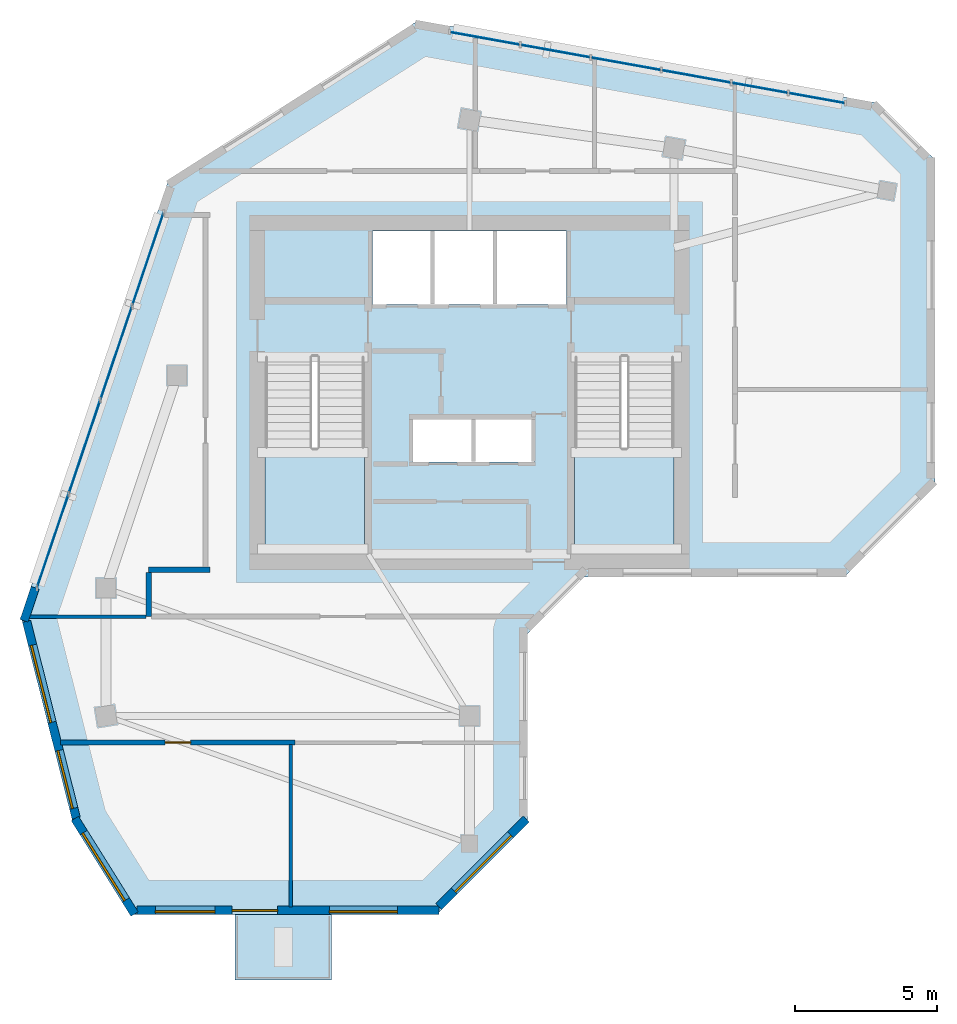
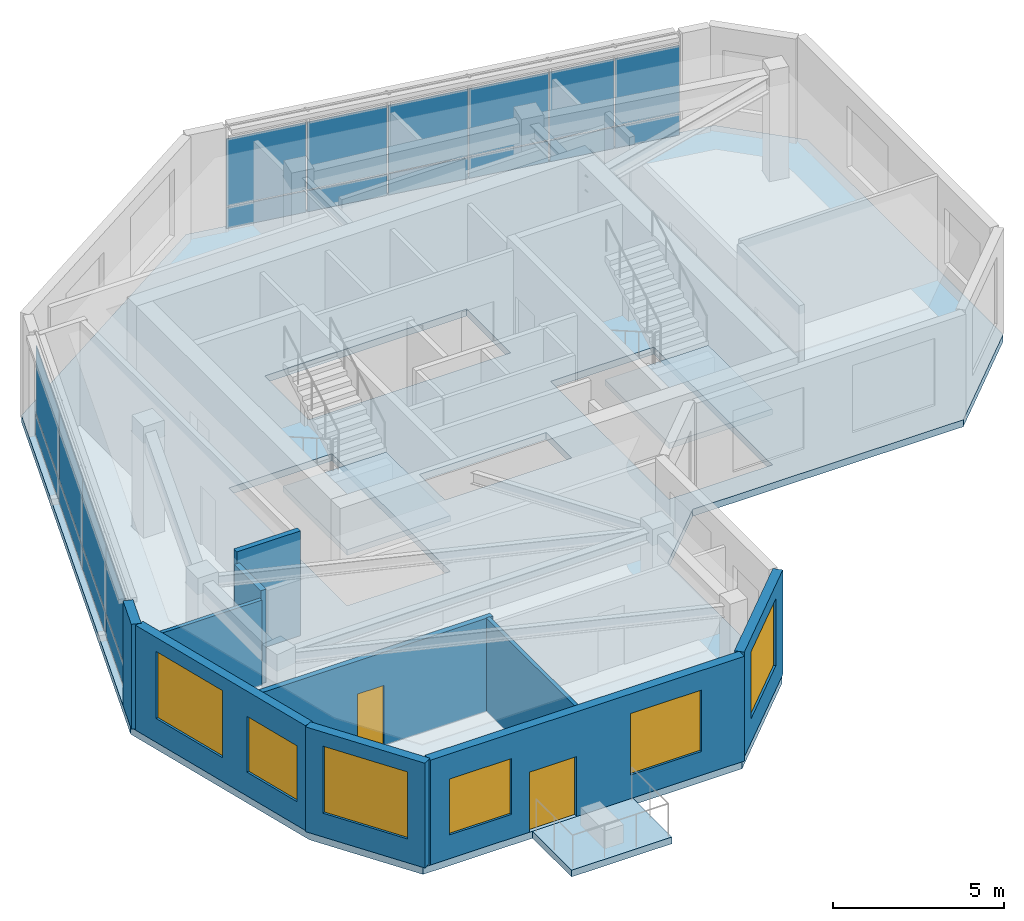
# One storey, part 2 of 8: 20 plates, 10 walls, 6 windows, 4 slabs, 2 doors, 8 openings, 4 elements without a shape of their own.
"""IFC4 building model written with IfcOpenShell, lengths in metres."""

from ifc_helpers import new_model, si_unit, direction, frame, frame_2d, origin, place, context, subcontext, project, spatial, polyline, rectangle, outline, extrude, source, transform, mapped, material, layer, layer_set, type_object, element, fill, aggregate, save


model = new_model("IFC4")

# Units and contexts
model_context = context("Model", 3, precision=1e-05, world=origin(), true_north=direction((0.0, 1.0)))
body_context = subcontext(model_context, "Body", "Model", "MODEL_VIEW")
ifc_project = project(units=[si_unit("LENGTHUNIT", "METRE"), si_unit("AREAUNIT", "SQUARE_METRE"), si_unit("VOLUMEUNIT", "CUBIC_METRE"), si_unit("PLANEANGLEUNIT", "RADIAN"), si_unit("MASSUNIT", "GRAM", prefix="KILO")], contexts=[model_context])

# Site, building, storey
site_placement = place(None, origin())
site = spatial("IfcSite", under=ifc_project, at=site_placement, CompositionType="ELEMENT")
building_placement = place(site_placement, origin())
building = spatial("IfcBuilding", under=site, at=building_placement, Name="Calvemar Wedge Station Tower", CompositionType="ELEMENT")
storey_placement = place(building_placement, frame((0.0, 0.0, 292.5)))
storey = spatial("IfcBuildingStorey", under=building, at=storey_placement, Name="L75", CompositionType="ELEMENT", Elevation=292.5)

# Curtain wall, plates
ifc_material_1 = material(Name="Anodised aluminium 6063-T6", Category="aluminium")
curtain_wall_type = type_object("IfcCurtainWallType", Name="CW4", PredefinedType="NOTDEFINED", material=ifc_material_1)
curtain_wall_1_placement = place(storey_placement, origin())
curtain_wall_1 = element("IfcCurtainWall", 1, at=curtain_wall_1_placement, inside=storey, type_object=curtain_wall_type, Name="Storey L75 CW4 Recessed Unitised Curtain Wall 10", PredefinedType="NOTDEFINED")
ifc_material_2 = material(Name="Low-E laminated insulated glass", Category="glass")
ifc_layer_1 = layer(ifc_material_2, 0.028076171875)
ifc_layer_set_1 = layer_set([ifc_layer_1], Name="Low-E laminated insulated glass")
plate_type_1 = type_object("IfcPlateType", Name="CW4-GLZ", PredefinedType="CURTAIN_PANEL", material=ifc_layer_set_1)
plate_1_placement = place(storey_placement, frame((37.01611328125, 50.08740234375, 0.8701171875), z_axis=(0.0, 0.0, 1.0), x_axis=(-0.984221146633, 0.176942743621, 0.0)))
plate_1 = element("IfcPlate", 2, at=plate_1_placement, type_object=plate_type_1, Name="CW4 vision glass panel 1", PredefinedType="CURTAIN_PANEL", context=body_context, shape_type="SweptSolid", body=[
    extrude(rectangle(XDim=2.001953125, YDim=0.028076171875, at=frame_2d((1.0009765625, 0.0))), origin(), (0.0, 0.0, 1.0), 2.409912109375),
])
plate_2_placement = place(storey_placement, frame((35.01025390625, 50.447998046875, 0.8701171875), z_axis=(0.0, 0.0, 1.0), x_axis=(-0.984224963901, 0.176921509244, 0.0)))
plate_2 = element("IfcPlate", 3, at=plate_2_placement, type_object=plate_type_1, Name="CW4 vision glass panel 2", PredefinedType="CURTAIN_PANEL", context=body_context, shape_type="SweptSolid", body=[
    extrude(rectangle(XDim=2.002197265625, YDim=0.028076171875, at=frame_2d((1.0009765625, 0.0))), origin(), (0.0, 0.0, 1.0), 2.409912109375),
])
plate_3_placement = place(storey_placement, frame((33.004150390625, 50.80859375, 0.8701171875), z_axis=(0.0, 0.0, 1.0), x_axis=(-0.984227258702, 0.176908742657, 0.0)))
plate_3 = element("IfcPlate", 4, at=plate_3_placement, type_object=plate_type_1, Name="CW4 vision glass panel 3", PredefinedType="CURTAIN_PANEL", context=body_context, shape_type="SweptSolid", body=[
    extrude(rectangle(XDim=2.478515625, YDim=0.028076171875, at=frame_2d((1.2392578125, 0.0))), origin(), (0.0, 0.0, 1.0), 2.409912109375),
])
plate_4_placement = place(storey_placement, frame((30.529296875, 51.25341796875, 0.8701171875), z_axis=(0.0, 0.0, 1.0), x_axis=(-0.984230341027, 0.176891593364, 0.0)))
plate_4 = element("IfcPlate", 5, at=plate_4_placement, type_object=plate_type_1, Name="CW4 vision glass panel 4", PredefinedType="CURTAIN_PANEL", context=body_context, shape_type="SweptSolid", body=[
    extrude(rectangle(XDim=2.478759765625, YDim=0.028076171875, at=frame_2d((1.2392578125, 0.0))), origin(), (0.0, 0.0, 1.0), 2.409912109375),
])
plate_5_placement = place(storey_placement, frame((28.05419921875, 51.6982421875, 0.8701171875), z_axis=(0.0, 0.0, 1.0), x_axis=(-0.984227429681, 0.176907791418, 0.0)))
plate_5 = element("IfcPlate", 6, at=plate_5_placement, type_object=plate_type_1, Name="CW4 vision glass panel 5", PredefinedType="CURTAIN_PANEL", context=body_context, shape_type="SweptSolid", body=[
    extrude(rectangle(XDim=2.48828125, YDim=0.028076171875, at=frame_2d((1.244140625, 0.0))), origin(), (0.0, 0.0, 1.0), 2.409912109375),
])
plate_6_placement = place(storey_placement, frame((25.56982421875, 52.14501953125, 0.8701171875), z_axis=(0.0, 0.0, 1.0), x_axis=(-0.984227429681, 0.176907791418, 0.0)))
plate_6 = element("IfcPlate", 7, at=plate_6_placement, type_object=plate_type_1, Name="CW4 vision glass panel 6", PredefinedType="CURTAIN_PANEL", context=body_context, shape_type="SweptSolid", body=[
    extrude(rectangle(XDim=2.48828125, YDim=0.028076171875, at=frame_2d((1.244140625, 0.0))), origin(), (0.0, 0.0, 1.0), 2.409912109375),
])

curtain_wall_2_placement = place(storey_placement, origin())
curtain_wall_2 = element("IfcCurtainWall", 8, at=curtain_wall_2_placement, inside=storey, type_object=curtain_wall_type, Name="Storey L75 CW4 Recessed Unitised Curtain Wall 12", PredefinedType="NOTDEFINED")
plate_7_placement = place(storey_placement, frame((13.0244140625, 46.223388671875, 0.8701171875), z_axis=(0.0, 0.0, 1.0), x_axis=(-0.319915894708, -0.947445945853, 0.0)))
plate_7 = element("IfcPlate", 9, at=plate_7_placement, type_object=plate_type_1, Name="CW4 vision glass panel 1", PredefinedType="CURTAIN_PANEL", context=body_context, shape_type="SweptSolid", body=[
    extrude(rectangle(XDim=3.453125, YDim=0.028076171875, at=frame_2d((1.7265625, 0.0))), origin(), (0.0, 0.0, 1.0), 2.409912109375),
])
plate_8_placement = place(storey_placement, frame((11.908203125, 42.91748046875, 0.8701171875), z_axis=(0.0, 0.0, 1.0), x_axis=(-0.319979356362, -0.947424514936, 0.0)))
plate_8 = element("IfcPlate", 10, at=plate_8_placement, type_object=plate_type_1, Name="CW4 vision glass panel 2", PredefinedType="CURTAIN_PANEL", context=body_context, shape_type="SweptSolid", body=[
    extrude(rectangle(XDim=3.453369140625, YDim=0.028076171875, at=frame_2d((1.7265625, 0.0))), origin(), (0.0, 0.0, 1.0), 2.409912109375),
])
plate_9_placement = place(storey_placement, frame((10.791748046875, 39.611572265625, 0.8701171875), z_axis=(0.0, 0.0, 1.0), x_axis=(-0.319915894708, -0.947445945853, 0.0)))
plate_9 = element("IfcPlate", 11, at=plate_9_placement, type_object=plate_type_1, Name="CW4 vision glass panel 3", PredefinedType="CURTAIN_PANEL", context=body_context, shape_type="SweptSolid", body=[
    extrude(rectangle(XDim=3.453125, YDim=0.028076171875, at=frame_2d((1.7265625, 0.0))), origin(), (0.0, 0.0, 1.0), 2.409912109375),
])
plate_10_placement = place(storey_placement, frame((9.675537109375, 36.3056640625, 0.8701171875), z_axis=(0.0, 0.0, 1.0), x_axis=(-0.319915894708, -0.947445945853, 0.0)))
plate_10 = element("IfcPlate", 12, at=plate_10_placement, type_object=plate_type_1, Name="CW4 vision glass panel 4", PredefinedType="CURTAIN_PANEL", context=body_context, shape_type="SweptSolid", body=[
    extrude(rectangle(XDim=3.453125, YDim=0.028076171875, at=frame_2d((1.7265625, 0.0))), origin(), (0.0, 0.0, 1.0), 2.409912109375),
])

# Plate
ifc_material_3 = material(Name="Oxidized bronze aluminium spandrel panel 5005-H24", Category="aluminium")
ifc_layer_2 = layer(ifc_material_3, 0.0400390625)
ifc_layer_set_2 = layer_set([ifc_layer_2], Name="Oxidized bronze aluminium spandrel panel 5005-H24")
plate_type_2 = type_object("IfcPlateType", Name="CW4-SPD", PredefinedType="SHEET", material=ifc_layer_set_2)
plate_11_placement = place(storey_placement, frame((37.01611328125, 50.08740234375, 0.080078125), z_axis=(0.0, 0.0, 1.0), x_axis=(-0.984221146633, 0.176942743621, 0.0)))
plate_11 = element("IfcPlate", 13, at=plate_11_placement, type_object=plate_type_2, Name="CW4 bronze spandrel panel 1", PredefinedType="SHEET", context=body_context, shape_type="SweptSolid", body=[
    extrude(rectangle(XDim=2.001953125, YDim=0.0400390625, at=frame_2d((1.0009765625, 0.0))), origin(), (0.0, 0.0, 1.0), 0.75),
])

plate_12_placement = place(storey_placement, frame((35.01025390625, 50.447998046875, 0.080078125), z_axis=(0.0, 0.0, 1.0), x_axis=(-0.984224963901, 0.176921509244, 0.0)))
plate_12 = element("IfcPlate", 14, at=plate_12_placement, type_object=plate_type_2, Name="CW4 bronze spandrel panel 2", PredefinedType="SHEET", context=body_context, shape_type="SweptSolid", body=[
    extrude(rectangle(XDim=2.002197265625, YDim=0.0400390625, at=frame_2d((1.0009765625, 0.0))), origin(), (0.0, 0.0, 1.0), 0.75),
])

plate_13_placement = place(storey_placement, frame((33.004150390625, 50.80859375, 0.080078125), z_axis=(0.0, 0.0, 1.0), x_axis=(-0.984227258702, 0.176908742657, 0.0)))
plate_13 = element("IfcPlate", 15, at=plate_13_placement, type_object=plate_type_2, Name="CW4 bronze spandrel panel 3", PredefinedType="SHEET", context=body_context, shape_type="SweptSolid", body=[
    extrude(rectangle(XDim=2.478515625, YDim=0.0400390625, at=frame_2d((1.2392578125, 0.0))), origin(), (0.0, 0.0, 1.0), 0.75),
])

plate_14_placement = place(storey_placement, frame((30.529296875, 51.25341796875, 0.080078125), z_axis=(0.0, 0.0, 1.0), x_axis=(-0.984230341027, 0.176891593364, 0.0)))
plate_14 = element("IfcPlate", 16, at=plate_14_placement, type_object=plate_type_2, Name="CW4 bronze spandrel panel 4", PredefinedType="SHEET", context=body_context, shape_type="SweptSolid", body=[
    extrude(rectangle(XDim=2.478759765625, YDim=0.0400390625, at=frame_2d((1.2392578125, 0.0))), origin(), (0.0, 0.0, 1.0), 0.75),
])

plate_15_placement = place(storey_placement, frame((28.05419921875, 51.6982421875, 0.080078125), z_axis=(0.0, 0.0, 1.0), x_axis=(-0.984227429681, 0.176907791418, 0.0)))
plate_15 = element("IfcPlate", 17, at=plate_15_placement, type_object=plate_type_2, Name="CW4 bronze spandrel panel 5", PredefinedType="SHEET", context=body_context, shape_type="SweptSolid", body=[
    extrude(rectangle(XDim=2.48828125, YDim=0.0400390625, at=frame_2d((1.244140625, 0.0))), origin(), (0.0, 0.0, 1.0), 0.75),
])

plate_16_placement = place(storey_placement, frame((25.56982421875, 52.14501953125, 0.080078125), z_axis=(0.0, 0.0, 1.0), x_axis=(-0.984227429681, 0.176907791418, 0.0)))
plate_16 = element("IfcPlate", 18, at=plate_16_placement, type_object=plate_type_2, Name="CW4 bronze spandrel panel 6", PredefinedType="SHEET", context=body_context, shape_type="SweptSolid", body=[
    extrude(rectangle(XDim=2.48828125, YDim=0.0400390625, at=frame_2d((1.244140625, 0.0))), origin(), (0.0, 0.0, 1.0), 0.75),
])

aggregate(curtain_wall_1, [plate_11, plate_1, plate_12, plate_2, plate_13, plate_3, plate_14, plate_4, plate_15, plate_5, plate_16, plate_6])

plate_17_placement = place(storey_placement, frame((13.0244140625, 46.223388671875, 0.080078125), z_axis=(0.0, 0.0, 1.0), x_axis=(-0.319915894708, -0.947445945853, 0.0)))
plate_17 = element("IfcPlate", 19, at=plate_17_placement, type_object=plate_type_2, Name="CW4 bronze spandrel panel 1", PredefinedType="SHEET", context=body_context, shape_type="SweptSolid", body=[
    extrude(rectangle(XDim=3.453125, YDim=0.0400390625, at=frame_2d((1.7265625, 0.0))), origin(), (0.0, 0.0, 1.0), 0.75),
])

plate_18_placement = place(storey_placement, frame((11.908203125, 42.91748046875, 0.080078125), z_axis=(0.0, 0.0, 1.0), x_axis=(-0.319979356362, -0.947424514936, 0.0)))
plate_18 = element("IfcPlate", 20, at=plate_18_placement, type_object=plate_type_2, Name="CW4 bronze spandrel panel 2", PredefinedType="SHEET", context=body_context, shape_type="SweptSolid", body=[
    extrude(rectangle(XDim=3.453369140625, YDim=0.0400390625, at=frame_2d((1.7265625, 0.0))), origin(), (0.0, 0.0, 1.0), 0.75),
])

plate_19_placement = place(storey_placement, frame((10.791748046875, 39.611572265625, 0.080078125), z_axis=(0.0, 0.0, 1.0), x_axis=(-0.319915894708, -0.947445945853, 0.0)))
plate_19 = element("IfcPlate", 21, at=plate_19_placement, type_object=plate_type_2, Name="CW4 bronze spandrel panel 3", PredefinedType="SHEET", context=body_context, shape_type="SweptSolid", body=[
    extrude(rectangle(XDim=3.453125, YDim=0.0400390625, at=frame_2d((1.7265625, 0.0))), origin(), (0.0, 0.0, 1.0), 0.75),
])

plate_20_placement = place(storey_placement, frame((9.675537109375, 36.3056640625, 0.080078125), z_axis=(0.0, 0.0, 1.0), x_axis=(-0.319915894708, -0.947445945853, 0.0)))
plate_20 = element("IfcPlate", 22, at=plate_20_placement, type_object=plate_type_2, Name="CW4 bronze spandrel panel 4", PredefinedType="SHEET", context=body_context, shape_type="SweptSolid", body=[
    extrude(rectangle(XDim=3.453125, YDim=0.0400390625, at=frame_2d((1.7265625, 0.0))), origin(), (0.0, 0.0, 1.0), 0.75),
])

aggregate(curtain_wall_2, [plate_17, plate_7, plate_18, plate_8, plate_19, plate_9, plate_20, plate_10])

# Stair, slab
ifc_material_4 = material(Name="Concrete C45", Category="concrete")
stair_type = type_object("IfcStairType", Name="ST-TYPE-4000", PredefinedType="HALF_TURN_STAIR", material=ifc_material_4)
stair_1_placement = place(storey_placement, origin())
stair_1 = element("IfcStair", 23, at=stair_1_placement, inside=storey, type_object=stair_type, Name="L75 Pressurized Core Exit Stair ST-C1", PredefinedType="HALF_TURN_STAIR")
ifc_layer_3 = layer(ifc_material_4, 0.199951171875)
ifc_layer_set_3 = layer_set([ifc_layer_3], Name="Concrete C45")
slab_type_1 = type_object("IfcSlabType", Name="SL-STAIR-LND-200", PredefinedType="LANDING", material=ifc_layer_set_3)
slab_1_placement = place(storey_placement, frame((0.0, 0.0, 1.800048828125)))
slab_1 = element("IfcSlab", 24, at=slab_1_placement, type_object=slab_type_1, Name="ST-C1 landing 1", PredefinedType="LANDING", context=body_context, shape_type="SweptSolid", body=[
    extrude(outline(polyline([(16.60009765625, 37.9599609375), (16.60009765625, 34.199951171875), (20.10009765625, 34.199951171875), (20.10009765625, 37.9599609375), (16.60009765625, 37.9599609375)])), origin(), (0.0, 0.0, 1.0), 0.199951171875),
])
aggregate(stair_1, [slab_1])

stair_2_placement = place(storey_placement, origin())
stair_2 = element("IfcStair", 25, at=stair_2_placement, inside=storey, type_object=stair_type, Name="L75 Pressurized Core Exit Stair ST-C2", PredefinedType="HALF_TURN_STAIR")
slab_2_placement = place(storey_placement, frame((0.0, 0.0, 1.800048828125)))
slab_2 = element("IfcSlab", 26, at=slab_2_placement, type_object=slab_type_1, Name="ST-C2 landing 1", PredefinedType="LANDING", context=body_context, shape_type="SweptSolid", body=[
    extrude(outline(polyline([(27.5, 37.9599609375), (27.5, 34.199951171875), (31.0, 34.199951171875), (31.0, 37.9599609375), (27.5, 37.9599609375)])), origin(), (0.0, 0.0, 1.0), 0.199951171875),
])
aggregate(stair_2, [slab_2])

# Slabs
ifc_layer_4 = layer(ifc_material_4, 0.239990234375)
ifc_layer_set_4 = layer_set([ifc_layer_4], Name="Concrete C45")
slab_type_2 = type_object("IfcSlabType", Name="SL-TERR-240", PredefinedType="FLOOR", material=ifc_layer_set_4)
slab_3_placement = place(storey_placement, frame((0.0, 0.0, -0.239990234375)))
element("IfcSlab", 27, at=slab_3_placement, inside=storey, type_object=slab_type_2, Name="Storey L75 Planted Spiral Terrace Slab", PredefinedType="FLOOR", context=body_context, shape_type="SweptSolid", body=[
    extrude(outline(polyline([(15.5400390625, 21.5), (15.5400390625, 19.199951171875), (18.93994140625, 19.199951171875), (18.93994140625, 21.5), (15.5400390625, 21.5)])), origin(), (0.0, 0.0, 1.0), 0.239990234375),
])
ifc_material_5 = material(Name="Concrete C50", Category="concrete")
ifc_layer_5 = layer(ifc_material_5, 0.25)
ifc_layer_set_5 = layer_set([ifc_layer_5], Name="Concrete C50")
slab_type_3 = type_object("IfcSlabType", Name="SL-TYP-250", PredefinedType="FLOOR", material=ifc_layer_set_5)
slab_4_placement = place(storey_placement, frame((0.0, 0.0, -0.25)))
element("IfcSlab", 28, at=slab_4_placement, inside=storey, type_object=slab_type_3, Name="Storey L75 Structural Floor Slab", PredefinedType="FLOOR", context=body_context, shape_type="SweptSolid", body=[
    extrude(outline(polyline([(8.0, 32.0), (9.840087890625, 24.699951171875), (11.840087890625, 21.5), (22.639892578125, 21.5), (25.840087890625, 24.699951171875), (25.840087890625, 31.39990234375), (27.840087890625, 33.39990234375), (37.0, 33.39990234375), (40.199951171875, 36.60009765625), (40.199951171875, 48.087890625), (38.199951171875, 50.087890625), (22.0, 53.0), (13.199951171875, 47.39990234375), (8.0, 32.0)]), holes=[polyline([(20.10009765625, 34.199951171875), (20.10009765625, 41.14990234375), (16.60009765625, 41.14990234375), (16.60009765625, 34.199951171875), (20.10009765625, 34.199951171875)]), polyline([(31.0, 34.199951171875), (31.0, 41.14990234375), (27.5, 41.14990234375), (27.5, 34.199951171875), (31.0, 34.199951171875)]), polyline([(23.929931640625, 38.949951171875), (21.7900390625, 38.949951171875), (21.7900390625, 37.449951171875), (23.929931640625, 37.449951171875), (23.93994140625, 37.449951171875), (26.080078125, 37.449951171875), (26.080078125, 38.949951171875), (23.93994140625, 38.949951171875), (23.929931640625, 38.949951171875)]), polyline([(27.219970703125, 43.0), (27.219970703125, 45.580078125), (20.3798828125, 45.580078125), (20.3798828125, 43.0), (27.219970703125, 43.0)])]), origin(), (0.0, 0.0, 1.0), 0.25),
])

# Walls
ifc_material_6 = material(Name="Double-stud fire-rated corridor partition")
ifc_layer_6 = layer(ifc_material_6, 0.179931640625)
ifc_layer_set_6 = layer_set([ifc_layer_6], Name="Double-stud fire-rated corridor partition")
wall_type_1 = type_object("IfcWallType", Name="W-CORR-180", PredefinedType="PARTITIONING", material=ifc_layer_set_6)
wall_1_placement = place(storey_placement, frame((12.5, 33.64990234375, 0.0), z_axis=(0.0, 0.0, 1.0), x_axis=(1.0, 0.0, 0.0)))
element("IfcWall", 29, at=wall_1_placement, inside=storey, type_object=wall_type_1, Name="Storey L75 Interior Partition WL-L75-007", PredefinedType="PARTITIONING", context=body_context, shape_type="SweptSolid", body=[
    extrude(rectangle(XDim=2.159912109375, YDim=0.179931640625, at=frame_2d((1.080078125, 0.0))), origin(), (0.0, 0.0, 1.0), 3.75),
])
wall_2_placement = place(storey_placement, frame((12.5, 32.0, 0.0), z_axis=(0.0, 0.0, 1.0), x_axis=(0.0, 1.0, 0.0)))
element("IfcWall", 30, at=wall_2_placement, inside=storey, type_object=wall_type_1, Name="Storey L75 Interior Partition WL-L75-008", PredefinedType="PARTITIONING", context=body_context, shape_type="SweptSolid", body=[
    extrude(rectangle(XDim=1.555908203125, YDim=0.179931640625, at=frame_2d((0.77783203125, 0.0))), origin(), (0.0, 0.0, 1.0), 3.3349609375),
])

# Wall, opening, door
wall_3_placement = place(storey_placement, frame((17.659912109375, 27.56494140625, 0.0), z_axis=(0.0, 0.0, 1.0), x_axis=(-1.0, 0.0, 0.0)))
wall_3 = element("IfcWall", 31, at=wall_3_placement, inside=storey, type_object=wall_type_1, Name="Storey L75 Interior Partition WL-L75-023", PredefinedType="PARTITIONING", context=body_context, shape_type="SweptSolid", body=[
    extrude(rectangle(XDim=8.268798828125, YDim=0.179931640625, at=frame_2d((4.13427734375, 0.0))), origin(), (0.0, 0.0, 1.0), 3.3349609375),
])
shared_shape_1 = source(origin(), body_context, "Body", "SweptSolid", [
    extrude(rectangle(XDim=0.89990234375, YDim=2.14990234375, at=frame_2d((0.449951171875, 1.074951171875))), frame((0.0, 0.10009765625, 0.0), z_axis=(0.0, -1.0, 0.0), x_axis=(1.0, 0.0, 0.0)), (0.0, 0.0, 1.0), 0.199951171875),
])
opening_1_placement = place(wall_3_placement, frame((3.684326171875, 0.0, 0.0)))
opening_1 = element("IfcOpeningElement", 32, at=opening_1_placement, cuts=wall_3, Name="Opening FD-60", PredefinedType="OPENING", context=body_context, shape_type="MappedRepresentation", body=[
    mapped(shared_shape_1, transform((0.0, 0.0, 0.0), scale=1.0)),
])
ifc_material_7 = material(Name="Fire-rated acoustic timber-core entrance door EI 60", Category="wood")
door_type_1 = type_object("IfcDoorType", Name="DR-FD60-900", OperationType="NOTDEFINED", PredefinedType="DOOR", material=ifc_material_7)
shared_shape_2 = source(origin(), body_context, "Body", "SweptSolid", [
    extrude(rectangle(XDim=0.89990234375, YDim=2.14990234375, at=frame_2d((0.449951171875, 1.074951171875))), frame((0.0, 0.02490234375, 0.0), z_axis=(0.0, -1.0, 0.0), x_axis=(1.0, 0.0, 0.0)), (0.0, 0.0, 1.0), 0.050048828125),
])
door_1_placement = place(opening_1_placement, origin())
door_1 = element("IfcDoor", 33, at=door_1_placement, inside=storey, type_object=door_type_1, Name="L75 Restaurant Catering Kitchen Door", OperationType="SINGLE_SWING_RIGHT", OverallHeight=2.14990234375, OverallWidth=0.89990234375, PredefinedType="DOOR", context=body_context, shape_type="MappedRepresentation", body=[
    mapped(shared_shape_2, transform((0.0, 0.0, 0.0), scale=1.0)),
])
fill(opening_1, door_1)

# Wall, opening, window
ifc_material_8 = material(Name="Precast concrete C45", Category="concrete")
ifc_layer_7 = layer(ifc_material_8, 0.300048828125)
ifc_layer_set_7 = layer_set([ifc_layer_7], Name="Precast concrete C45")
wall_type_2 = type_object("IfcWallType", Name="W-EXT-GFRC-300", PredefinedType="SOLIDWALL", material=ifc_layer_set_7)
wall_4_placement = place(storey_placement, frame((9.900146484375, 24.88671875, 0.0), z_axis=(0.0, 0.0, 1.0), x_axis=(0.530004471907, -0.84799484654, 0.0)))
wall_4 = element("IfcWall", 34, at=wall_4_placement, inside=storey, type_object=wall_type_2, Name="Storey L75 Bronze GFRC Exterior Wall 1", PredefinedType="SOLIDWALL", context=body_context, shape_type="SweptSolid", body=[
    extrude(rectangle(XDim=3.967041015625, YDim=0.300048828125, at=frame_2d((1.9833984375, 0.0))), origin(), (0.0, 0.0, 1.0), 3.75),
])
shared_shape_3 = source(origin(), body_context, "Body", "SweptSolid", [
    extrude(rectangle(XDim=2.800048828125, YDim=2.39990234375, at=frame_2d((1.39990234375, 1.199951171875))), frame((0.0, 0.16015625, 0.0), z_axis=(0.0, -1.0, 0.0), x_axis=(1.0, 0.0, 0.0)), (0.0, 0.0, 1.0), 0.320068359375),
])
opening_2_placement = place(wall_4_placement, frame((0.5830078125, 0.0, 0.85009765625)))
opening_2 = element("IfcOpeningElement", 35, at=opening_2_placement, cuts=wall_4, Name="Opening W6", PredefinedType="OPENING", context=body_context, shape_type="MappedRepresentation", body=[
    mapped(shared_shape_3, transform((0.0, 0.0, 0.0), scale=1.0)),
])
window_type_1 = type_object("IfcWindowType", Name="WIN-EXT-6", PartitioningType="SINGLE_PANEL", PredefinedType="WINDOW", material=ifc_material_2)
shared_shape_4 = source(origin(), body_context, "Body", "SweptSolid", [
    extrude(rectangle(XDim=2.800048828125, YDim=2.39990234375, at=frame_2d((1.39990234375, 1.199951171875))), frame((0.0, -0.014892578125, 0.0), z_axis=(0.0, -1.0, 0.0), x_axis=(1.0, 0.0, 0.0)), (0.0, 0.0, 1.0), 0.06005859375),
])
window_1_placement = place(opening_2_placement, origin())
window_1 = element("IfcWindow", 36, at=window_1_placement, inside=storey, type_object=window_type_1, Name="Storey L75 Recessed Window 1.1", OverallHeight=2.39990234375, OverallWidth=2.800048828125, PartitioningType="SINGLE_PANEL", PredefinedType="WINDOW", context=body_context, shape_type="MappedRepresentation", body=[
    mapped(shared_shape_4, transform((0.0, 0.0, 0.0), scale=1.0)),
])
fill(opening_2, window_1)

# Wall, openings, windows, door
wall_5_placement = place(storey_placement, frame((12.085693359375, 21.64990234375, 0.0), z_axis=(0.0, 0.0, 1.0), x_axis=(1.0, 0.0, 0.0)))
wall_5 = element("IfcWall", 37, at=wall_5_placement, inside=storey, type_object=wall_type_2, Name="Storey L75 Bronze GFRC Exterior Wall 2", PredefinedType="SOLIDWALL", context=body_context, shape_type="SweptSolid", body=[
    extrude(rectangle(XDim=10.64208984375, YDim=0.300048828125, at=frame_2d((5.321044921875, 0.0))), origin(), (0.0, 0.0, 1.0), 3.75),
])
shared_shape_5 = source(origin(), body_context, "Body", "SweptSolid", [
    extrude(rectangle(XDim=1.60009765625, YDim=2.14990234375, at=frame_2d((0.800048828125, 1.074951171875))), frame((0.0, 0.16015625, 0.0), z_axis=(0.0, -1.0, 0.0), x_axis=(1.0, 0.0, 0.0)), (0.0, 0.0, 1.0), 0.320068359375),
])
opening_3_placement = place(wall_5_placement, frame((3.35400390625, 0.0, 0.0)))
opening_3 = element("IfcOpeningElement", 38, at=opening_3_placement, cuts=wall_5, Name="Opening DT1", PredefinedType="OPENING", context=body_context, shape_type="MappedRepresentation", body=[
    mapped(shared_shape_5, transform((0.0, 0.0, 0.0), scale=1.0)),
])
shared_shape_6 = source(origin(), body_context, "Body", "SweptSolid", [
    extrude(rectangle(XDim=2.10009765625, YDim=2.0, at=frame_2d((1.050048828125, 1.0))), frame((0.0, 0.16015625, 0.0), z_axis=(0.0, -1.0, 0.0), x_axis=(1.0, 0.0, 0.0)), (0.0, 0.0, 1.0), 0.320068359375),
])
opening_4_placement = place(wall_5_placement, frame((0.64697265625, 0.0, 0.85009765625)))
opening_4 = element("IfcOpeningElement", 39, at=opening_4_placement, cuts=wall_5, Name="Opening W4", PredefinedType="OPENING", context=body_context, shape_type="MappedRepresentation", body=[
    mapped(shared_shape_6, transform((0.0, 0.0, 0.0), scale=1.0)),
])
shared_shape_7 = source(origin(), body_context, "Body", "SweptSolid", [
    extrude(rectangle(XDim=2.39990234375, YDim=2.199951171875, at=frame_2d((1.199951171875, 1.10009765625))), frame((0.0, 0.16015625, 0.0), z_axis=(0.0, -1.0, 0.0), x_axis=(1.0, 0.0, 0.0)), (0.0, 0.0, 1.0), 0.320068359375),
])
opening_5_placement = place(wall_5_placement, frame((6.778076171875, 0.0, 0.85009765625)))
opening_5 = element("IfcOpeningElement", 40, at=opening_5_placement, cuts=wall_5, Name="Opening W1", PredefinedType="OPENING", context=body_context, shape_type="MappedRepresentation", body=[
    mapped(shared_shape_7, transform((0.0, 0.0, 0.0), scale=1.0)),
])
window_type_2 = type_object("IfcWindowType", Name="WIN-EXT-4", PartitioningType="SINGLE_PANEL", PredefinedType="WINDOW", material=ifc_material_2)
shared_shape_8 = source(origin(), body_context, "Body", "SweptSolid", [
    extrude(rectangle(XDim=2.10009765625, YDim=2.0, at=frame_2d((1.050048828125, 1.0))), frame((0.0, -0.014892578125, 0.0), z_axis=(0.0, -1.0, 0.0), x_axis=(1.0, 0.0, 0.0)), (0.0, 0.0, 1.0), 0.06005859375),
])
window_2_placement = place(opening_4_placement, origin())
window_2 = element("IfcWindow", 41, at=window_2_placement, inside=storey, type_object=window_type_2, Name="Storey L75 Recessed Window 2.1", OverallHeight=2.0, OverallWidth=2.10009765625, PartitioningType="SINGLE_PANEL", PredefinedType="WINDOW", context=body_context, shape_type="MappedRepresentation", body=[
    mapped(shared_shape_8, transform((0.0, 0.0, 0.0), scale=1.0)),
])
fill(opening_4, window_2)
window_type_3 = type_object("IfcWindowType", Name="WIN-EXT-1", PartitioningType="SINGLE_PANEL", PredefinedType="WINDOW", material=ifc_material_2)
shared_shape_9 = source(origin(), body_context, "Body", "SweptSolid", [
    extrude(rectangle(XDim=2.39990234375, YDim=2.199951171875, at=frame_2d((1.199951171875, 1.10009765625))), frame((0.0, -0.014892578125, 0.0), z_axis=(0.0, -1.0, 0.0), x_axis=(1.0, 0.0, 0.0)), (0.0, 0.0, 1.0), 0.06005859375),
])
window_3_placement = place(opening_5_placement, origin())
window_3 = element("IfcWindow", 42, at=window_3_placement, inside=storey, type_object=window_type_3, Name="Storey L75 Recessed Window 2.2", OverallHeight=2.199951171875, OverallWidth=2.39990234375, PartitioningType="SINGLE_PANEL", PredefinedType="WINDOW", context=body_context, shape_type="MappedRepresentation", body=[
    mapped(shared_shape_9, transform((0.0, 0.0, 0.0), scale=1.0)),
])
fill(opening_5, window_3)
door_type_2 = type_object("IfcDoorType", Name="DR-TERR-1600", OperationType="DOUBLE_DOOR_SLIDING", PredefinedType="DOOR", material=ifc_material_1)
shared_shape_10 = source(origin(), body_context, "Body", "SweptSolid", [
    extrude(rectangle(XDim=1.60009765625, YDim=2.14990234375, at=frame_2d((0.800048828125, 1.074951171875))), frame((0.0, 0.02490234375, 0.0), z_axis=(0.0, -1.0, 0.0), x_axis=(1.0, 0.0, 0.0)), (0.0, 0.0, 1.0), 0.050048828125),
])
door_2_placement = place(opening_3_placement, origin())
door_2 = element("IfcDoor", 43, at=door_2_placement, inside=storey, type_object=door_type_2, Name="Storey L75 Spiral Terrace Door", OperationType="DOUBLE_DOOR_SLIDING", OverallHeight=2.14990234375, OverallWidth=1.60009765625, PredefinedType="DOOR", context=body_context, shape_type="MappedRepresentation", body=[
    mapped(shared_shape_10, transform((0.0, 0.0, 0.0), scale=1.0)),
])
fill(opening_3, door_2)

# Wall, opening, window
wall_6_placement = place(storey_placement, frame((22.7158203125, 21.7880859375, 0.0), z_axis=(0.0, 0.0, 1.0), x_axis=(0.707134803727, 0.707078757535, 0.0)))
wall_6 = element("IfcWall", 44, at=wall_6_placement, inside=storey, type_object=wall_type_2, Name="Storey L75 Bronze GFRC Exterior Wall 3", PredefinedType="SOLIDWALL", context=body_context, shape_type="SweptSolid", body=[
    extrude(rectangle(XDim=4.35595703125, YDim=0.300048828125, at=frame_2d((2.177978515625, 0.0))), origin(), (0.0, 0.0, 1.0), 3.75),
])
opening_6_placement = place(wall_6_placement, frame((0.778076171875, 0.0, 0.85009765625)))
opening_6 = element("IfcOpeningElement", 45, at=opening_6_placement, cuts=wall_6, Name="Opening W6", PredefinedType="OPENING", context=body_context, shape_type="MappedRepresentation", body=[
    mapped(shared_shape_3, transform((0.0, 0.0, 0.0), scale=1.0)),
])
window_4_placement = place(opening_6_placement, origin())
window_4 = element("IfcWindow", 46, at=window_4_placement, inside=storey, type_object=window_type_1, Name="Storey L75 Recessed Window 3.1", OverallHeight=2.39990234375, OverallWidth=2.800048828125, PartitioningType="SINGLE_PANEL", PredefinedType="WINDOW", context=body_context, shape_type="MappedRepresentation", body=[
    mapped(shared_shape_4, transform((0.0, 0.0, 0.0), scale=1.0)),
])
fill(opening_6, window_4)

# Wall
wall_7_placement = place(storey_placement, frame((8.501708984375, 33.01708984375, 0.0), z_axis=(0.0, 0.0, 1.0), x_axis=(-0.319798692732, -0.947485512357, 0.0)))
element("IfcWall", 47, at=wall_7_placement, inside=storey, type_object=wall_type_2, Name="Storey L75 Bronze GFRC Corner Pier 12B", PredefinedType="SOLIDWALL", context=body_context, shape_type="SweptSolid", body=[
    extrude(rectangle(XDim=1.22998046875, YDim=0.300048828125, at=frame_2d((0.614990234375, 0.0))), origin(), (0.0, 0.0, 1.0), 3.75),
])

# Wall, openings, windows
wall_8_placement = place(storey_placement, frame((8.1962890625, 31.834716796875, 0.0), z_axis=(0.0, 0.0, 1.0), x_axis=(0.244430846523, -0.969666726906, 0.0)))
wall_8 = element("IfcWall", 48, at=wall_8_placement, inside=storey, type_object=wall_type_2, Name="Storey L75 Bronze GFRC Exterior Wall 13", PredefinedType="SOLIDWALL", context=body_context, shape_type="SweptSolid", body=[
    extrude(rectangle(XDim=7.151611328125, YDim=0.300048828125, at=frame_2d((3.57568359375, 0.0))), origin(), (0.0, 0.0, 1.0), 3.75),
])
opening_7_placement = place(wall_8_placement, frame((0.865966796875, 0.0, 0.85009765625)))
opening_7 = element("IfcOpeningElement", 49, at=opening_7_placement, cuts=wall_8, Name="Opening W6", PredefinedType="OPENING", context=body_context, shape_type="MappedRepresentation", body=[
    mapped(shared_shape_3, transform((0.0, 0.0, 0.0), scale=1.0)),
])
opening_8_placement = place(wall_8_placement, frame((4.69189453125, 0.0, 0.85009765625)))
opening_8 = element("IfcOpeningElement", 50, at=opening_8_placement, cuts=wall_8, Name="Opening W4", PredefinedType="OPENING", context=body_context, shape_type="MappedRepresentation", body=[
    mapped(shared_shape_6, transform((0.0, 0.0, 0.0), scale=1.0)),
])
window_5_placement = place(opening_8_placement, origin())
window_5 = element("IfcWindow", 51, at=window_5_placement, inside=storey, type_object=window_type_2, Name="Storey L75 Recessed Window 13.2", OverallHeight=2.0, OverallWidth=2.10009765625, PartitioningType="SINGLE_PANEL", PredefinedType="WINDOW", context=body_context, shape_type="MappedRepresentation", body=[
    mapped(shared_shape_8, transform((0.0, 0.0, 0.0), scale=1.0)),
])
fill(opening_8, window_5)
window_6_placement = place(opening_7_placement, origin())
window_6 = element("IfcWindow", 52, at=window_6_placement, inside=storey, type_object=window_type_1, Name="Storey L75 Recessed Window 13.1", OverallHeight=2.39990234375, OverallWidth=2.800048828125, PartitioningType="SINGLE_PANEL", PredefinedType="WINDOW", context=body_context, shape_type="MappedRepresentation", body=[
    mapped(shared_shape_4, transform((0.0, 0.0, 0.0), scale=1.0)),
])
fill(opening_7, window_6)

# Walls
ifc_material_9 = material(Name="Insulated acoustic gypsum stud partition")
ifc_layer_8 = layer(ifc_material_9, 0.125)
ifc_layer_set_8 = layer_set([ifc_layer_8], Name="Insulated acoustic gypsum stud partition")
wall_type_3 = type_object("IfcWallType", Name="W-PART-125", PredefinedType="PARTITIONING", material=ifc_layer_set_8)
wall_9_placement = place(storey_placement, frame((12.406005859375, 32.0, 0.0), z_axis=(0.0, 0.0, 1.0), x_axis=(-1.0, 0.0, 0.0)))
element("IfcWall", 53, at=wall_9_placement, inside=storey, type_object=wall_type_3, Name="Storey L75 Interior Partition WL-L75-018", PredefinedType="PARTITIONING", context=body_context, shape_type="SweptSolid", body=[
    extrude(rectangle(XDim=4.126220703125, YDim=0.125, at=frame_2d((2.06298828125, 0.0))), origin(), (0.0, 0.0, 1.0), 3.0419921875),
])
wall_10_placement = place(storey_placement, frame((17.5, 27.49853515625, 0.0), z_axis=(0.0, 0.0, 1.0), x_axis=(0.0, -1.0, 0.0)))
element("IfcWall", 54, at=wall_10_placement, inside=storey, type_object=wall_type_3, Name="Storey L75 Interior Partition WL-L75-025", PredefinedType="PARTITIONING", context=body_context, shape_type="SweptSolid", body=[
    extrude(rectangle(XDim=5.733642578125, YDim=0.125, at=frame_2d((2.86669921875, 0.0))), origin(), (0.0, 0.0, 1.0), 3.3349609375),
])

save(model, "model.ifc")
